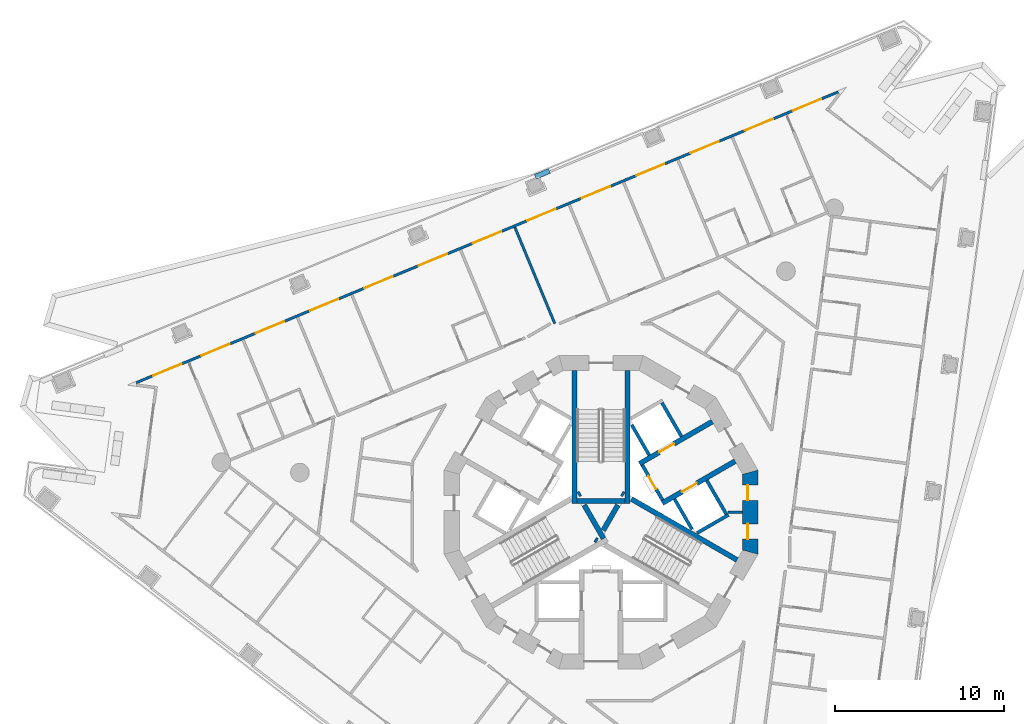
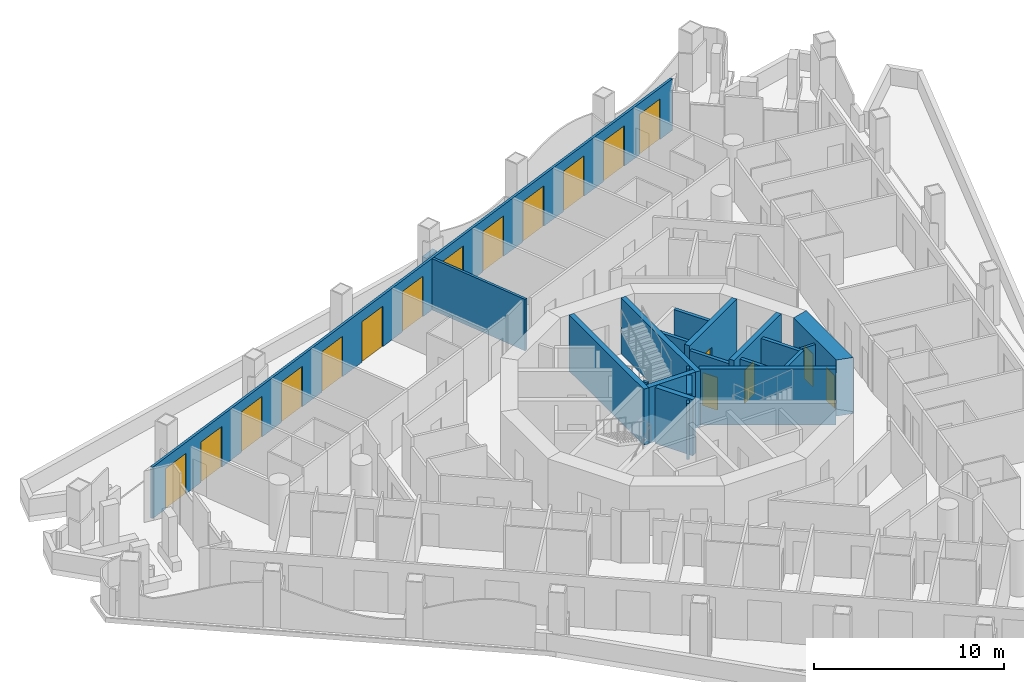
# One storey, part 8 of 19: 22 walls, 18 doors, 18 openings.
"""IFC4 building model written with IfcOpenShell, lengths in metres."""

from ifc_helpers import new_model, si_unit, direction, frame, frame_2d, origin, place, context, subcontext, project, spatial, polyline, rectangle, outline, extrude, material, layer, layer_set, type_object, element, fill, save


model = new_model("IFC4")

# Units and contexts
model_context = context("Model", 3, precision=1e-05, world=origin(), true_north=direction((0.0, 1.0)))
body_context = subcontext(model_context, "Body", "Model", "MODEL_VIEW")
ifc_project = project(units=[si_unit("LENGTHUNIT", "METRE"), si_unit("AREAUNIT", "SQUARE_METRE"), si_unit("VOLUMEUNIT", "CUBIC_METRE"), si_unit("PLANEANGLEUNIT", "RADIAN"), si_unit("MASSUNIT", "GRAM", prefix="KILO")], contexts=[model_context])

# Site, building, storey
site_placement = place(None, origin())
site = spatial("IfcSite", under=ifc_project, at=site_placement, CompositionType="ELEMENT")
building_placement = place(site_placement, origin())
building = spatial("IfcBuilding", under=site, at=building_placement, Name="Trine Commons Tower", CompositionType="ELEMENT")
storey_placement = place(building_placement, frame((0.0, 0.0, 124.199951171875)))
storey = spatial("IfcBuildingStorey", under=building, at=storey_placement, Name="L31", CompositionType="ELEMENT", Elevation=124.199951171875)

# Wall
ifc_material_1 = material(Name="Plasterboard partition on steel studs", Category="steel")
ifc_layer_1 = layer(ifc_material_1, 0.14990234375)
ifc_layer_set_1 = layer_set([ifc_layer_1], Name="Plasterboard partition on steel studs")
wall_type_1 = type_object("IfcWallType", Name="Core room partition 150 mm, EI 60", PredefinedType="PARTITIONING", material=ifc_layer_set_1)
wall_1_placement = place(storey_placement, frame((88.373046875, 62.5, 0.0), z_axis=(0.0, 0.0, 1.0), x_axis=(-1.0, 0.0, 0.0)))
element("IfcWall", 1, at=wall_1_placement, inside=storey, type_object=wall_type_1, Name="Core room partition L31", PredefinedType="PARTITIONING", context=body_context, shape_type="SweptSolid", body=[
    extrude(rectangle(XDim=0.882080078125, YDim=0.14990234375, at=frame_2d((0.44091796875, 0.0))), origin(), (0.0, 0.0, 1.0), 3.300048828125),
])

# Wall, openings, doors
ifc_material_2 = material(Name="Aluminium-framed insulated wall panel", Category="aluminium")
ifc_layer_2 = layer(ifc_material_2, 0.14990234375)
ifc_layer_set_2 = layer_set([ifc_layer_2], Name="Aluminium-framed insulated wall panel")
wall_type_2 = type_object("IfcWallType", Name="Glazed frame wall 150, EI 60", PredefinedType="SOLIDWALL", material=ifc_layer_set_2)
wall_2_placement = place(storey_placement, frame((52.38671875, 70.099609375, 0.0), z_axis=(0.0, 0.0, 1.0), x_axis=(0.92388051416, 0.382681062447, 0.0)))
wall_2 = element("IfcWall", 2, at=wall_2_placement, inside=storey, type_object=wall_type_2, Name="Glazed frame wall F1", PredefinedType="SOLIDWALL", context=body_context, shape_type="SweptSolid", body=[
    extrude(outline(polyline([(0.1494140625, 0.074951171875), (0.1494140625, -0.074951171875), (45.056884765625, -0.074951171875), (45.056884765625, 0.074951171875), (0.1494140625, 0.074951171875)])), origin(), (0.0, 0.0, 1.0), 3.300048828125),
])
opening_1_placement = place(wall_2_placement, frame((1.23876953125, 0.0, 0.0)))
opening_1 = element("IfcOpeningElement", 3, at=opening_1_placement, cuts=wall_2, Name="Opening BD-4F1-01", PredefinedType="OPENING", context=body_context, shape_type="SweptSolid", body=[
    extrude(rectangle(XDim=1.800048828125, YDim=2.60009765625, at=frame_2d((0.89990234375, 1.300048828125))), frame((0.0, 0.0849609375, 0.0), z_axis=(0.0, -1.0, 0.0), x_axis=(1.0, 0.0, 0.0)), (0.0, 0.0, 1.0), 0.169921875),
])
opening_2_placement = place(wall_2_placement, frame((4.316162109375, 0.0, 0.0)))
opening_2 = element("IfcOpeningElement", 4, at=opening_2_placement, cuts=wall_2, Name="Opening BD-4F1-02", PredefinedType="OPENING", context=body_context, shape_type="SweptSolid", body=[
    extrude(rectangle(XDim=1.800048828125, YDim=2.60009765625, at=frame_2d((0.89990234375, 1.300048828125))), frame((0.0, 0.0849609375, 0.0), z_axis=(0.0, -1.0, 0.0), x_axis=(1.0, 0.0, 0.0)), (0.0, 0.0, 1.0), 0.169921875),
])
opening_3_placement = place(wall_2_placement, frame((7.79345703125, 0.0, 0.0)))
opening_3 = element("IfcOpeningElement", 5, at=opening_3_placement, cuts=wall_2, Name="Opening BD-4F1-03", PredefinedType="OPENING", context=body_context, shape_type="SweptSolid", body=[
    extrude(rectangle(XDim=1.800048828125, YDim=2.60009765625, at=frame_2d((0.89990234375, 1.300048828125))), frame((0.0, 0.0849609375, 0.0), z_axis=(0.0, -1.0, 0.0), x_axis=(1.0, 0.0, 0.0)), (0.0, 0.0, 1.0), 0.169921875),
])
opening_4_placement = place(wall_2_placement, frame((11.27099609375, 0.0, 0.0)))
opening_4 = element("IfcOpeningElement", 6, at=opening_4_placement, cuts=wall_2, Name="Opening BD-4F1-04", PredefinedType="OPENING", context=body_context, shape_type="SweptSolid", body=[
    extrude(rectangle(XDim=1.800048828125, YDim=2.60009765625, at=frame_2d((0.89990234375, 1.300048828125))), frame((0.0, 0.0849609375, 0.0), z_axis=(0.0, -1.0, 0.0), x_axis=(1.0, 0.0, 0.0)), (0.0, 0.0, 1.0), 0.169921875),
])
opening_5_placement = place(wall_2_placement, frame((14.748291015625, 0.0, 0.0)))
opening_5 = element("IfcOpeningElement", 7, at=opening_5_placement, cuts=wall_2, Name="Opening BD-4F1-05", PredefinedType="OPENING", context=body_context, shape_type="SweptSolid", body=[
    extrude(rectangle(XDim=1.800048828125, YDim=2.60009765625, at=frame_2d((0.89990234375, 1.300048828125))), frame((0.0, 0.0849609375, 0.0), z_axis=(0.0, -1.0, 0.0), x_axis=(1.0, 0.0, 0.0)), (0.0, 0.0, 1.0), 0.169921875),
])
opening_6_placement = place(wall_2_placement, frame((18.2255859375, 0.0, 0.0)))
opening_6 = element("IfcOpeningElement", 8, at=opening_6_placement, cuts=wall_2, Name="Opening BD-4F1-06", PredefinedType="OPENING", context=body_context, shape_type="SweptSolid", body=[
    extrude(rectangle(XDim=1.800048828125, YDim=2.60009765625, at=frame_2d((0.89990234375, 1.300048828125))), frame((0.0, 0.0849609375, 0.0), z_axis=(0.0, -1.0, 0.0), x_axis=(1.0, 0.0, 0.0)), (0.0, 0.0, 1.0), 0.169921875),
])
opening_7_placement = place(wall_2_placement, frame((21.703125, 0.0, 0.0)))
opening_7 = element("IfcOpeningElement", 9, at=opening_7_placement, cuts=wall_2, Name="Opening BD-4F1-07", PredefinedType="OPENING", context=body_context, shape_type="SweptSolid", body=[
    extrude(rectangle(XDim=1.800048828125, YDim=2.60009765625, at=frame_2d((0.89990234375, 1.300048828125))), frame((0.0, 0.0849609375, 0.0), z_axis=(0.0, -1.0, 0.0), x_axis=(1.0, 0.0, 0.0)), (0.0, 0.0, 1.0), 0.169921875),
])
opening_8_placement = place(wall_2_placement, frame((25.180419921875, 0.0, 0.0)))
opening_8 = element("IfcOpeningElement", 10, at=opening_8_placement, cuts=wall_2, Name="Opening BD-4F1-08", PredefinedType="OPENING", context=body_context, shape_type="SweptSolid", body=[
    extrude(rectangle(XDim=1.800048828125, YDim=2.60009765625, at=frame_2d((0.89990234375, 1.300048828125))), frame((0.0, 0.0849609375, 0.0), z_axis=(0.0, -1.0, 0.0), x_axis=(1.0, 0.0, 0.0)), (0.0, 0.0, 1.0), 0.169921875),
])
opening_9_placement = place(wall_2_placement, frame((28.657958984375, 0.0, 0.0)))
opening_9 = element("IfcOpeningElement", 11, at=opening_9_placement, cuts=wall_2, Name="Opening BD-4F1-09", PredefinedType="OPENING", context=body_context, shape_type="SweptSolid", body=[
    extrude(rectangle(XDim=1.800048828125, YDim=2.60009765625, at=frame_2d((0.89990234375, 1.300048828125))), frame((0.0, 0.0849609375, 0.0), z_axis=(0.0, -1.0, 0.0), x_axis=(1.0, 0.0, 0.0)), (0.0, 0.0, 1.0), 0.169921875),
])
opening_10_placement = place(wall_2_placement, frame((32.13525390625, 0.0, 0.0)))
opening_10 = element("IfcOpeningElement", 12, at=opening_10_placement, cuts=wall_2, Name="Opening BD-4F1-10", PredefinedType="OPENING", context=body_context, shape_type="SweptSolid", body=[
    extrude(rectangle(XDim=1.800048828125, YDim=2.60009765625, at=frame_2d((0.89990234375, 1.300048828125))), frame((0.0, 0.0849609375, 0.0), z_axis=(0.0, -1.0, 0.0), x_axis=(1.0, 0.0, 0.0)), (0.0, 0.0, 1.0), 0.169921875),
])
opening_11_placement = place(wall_2_placement, frame((35.61279296875, 0.0, 0.0)))
opening_11 = element("IfcOpeningElement", 13, at=opening_11_placement, cuts=wall_2, Name="Opening BD-4F1-11", PredefinedType="OPENING", context=body_context, shape_type="SweptSolid", body=[
    extrude(rectangle(XDim=1.800048828125, YDim=2.60009765625, at=frame_2d((0.89990234375, 1.300048828125))), frame((0.0, 0.0849609375, 0.0), z_axis=(0.0, -1.0, 0.0), x_axis=(1.0, 0.0, 0.0)), (0.0, 0.0, 1.0), 0.169921875),
])
opening_12_placement = place(wall_2_placement, frame((39.090087890625, 0.0, 0.0)))
opening_12 = element("IfcOpeningElement", 14, at=opening_12_placement, cuts=wall_2, Name="Opening BD-4F1-12", PredefinedType="OPENING", context=body_context, shape_type="SweptSolid", body=[
    extrude(rectangle(XDim=1.800048828125, YDim=2.60009765625, at=frame_2d((0.89990234375, 1.300048828125))), frame((0.0, 0.0849609375, 0.0), z_axis=(0.0, -1.0, 0.0), x_axis=(1.0, 0.0, 0.0)), (0.0, 0.0, 1.0), 0.169921875),
])
opening_13_placement = place(wall_2_placement, frame((42.16748046875, 0.0, 0.0)))
opening_13 = element("IfcOpeningElement", 15, at=opening_13_placement, cuts=wall_2, Name="Opening BD-4F1-13", PredefinedType="OPENING", context=body_context, shape_type="SweptSolid", body=[
    extrude(rectangle(XDim=1.800048828125, YDim=2.60009765625, at=frame_2d((0.89990234375, 1.300048828125))), frame((0.0, 0.0849609375, 0.0), z_axis=(0.0, -1.0, 0.0), x_axis=(1.0, 0.0, 0.0)), (0.0, 0.0, 1.0), 0.169921875),
])
ifc_material_3 = material(Name="Anodised aluminium frame with double glazing", Category="aluminium")
door_type_1 = type_object("IfcDoorType", Name="Sliding loggia door 1800x2600", OperationType="SLIDING_TO_LEFT", PredefinedType="DOOR", material=ifc_material_3)
door_1_placement = place(opening_1_placement, origin())
door_1 = element("IfcDoor", 16, at=door_1_placement, inside=storey, type_object=door_type_1, Name="Loggia door F1 1", OperationType="SLIDING_TO_LEFT", OverallHeight=2.60009765625, OverallWidth=1.800048828125, PredefinedType="DOOR", context=body_context, shape_type="SweptSolid", body=[
    extrude(rectangle(XDim=1.800048828125, YDim=2.60009765625, at=frame_2d((0.89990234375, 1.300048828125))), frame((0.0, 0.02490234375, 0.0), z_axis=(0.0, -1.0, 0.0), x_axis=(1.0, 0.0, 0.0)), (0.0, 0.0, 1.0), 0.050048828125),
])
fill(opening_1, door_1)
door_2_placement = place(opening_2_placement, origin())
door_2 = element("IfcDoor", 17, at=door_2_placement, inside=storey, type_object=door_type_1, Name="Loggia door F1 2", OperationType="SLIDING_TO_LEFT", OverallHeight=2.60009765625, OverallWidth=1.800048828125, PredefinedType="DOOR", context=body_context, shape_type="SweptSolid", body=[
    extrude(rectangle(XDim=1.800048828125, YDim=2.60009765625, at=frame_2d((0.89990234375, 1.300048828125))), frame((0.0, 0.02490234375, 0.0), z_axis=(0.0, -1.0, 0.0), x_axis=(1.0, 0.0, 0.0)), (0.0, 0.0, 1.0), 0.050048828125),
])
fill(opening_2, door_2)
door_3_placement = place(opening_3_placement, origin())
door_3 = element("IfcDoor", 18, at=door_3_placement, inside=storey, type_object=door_type_1, Name="Loggia door F1 3", OperationType="SLIDING_TO_LEFT", OverallHeight=2.60009765625, OverallWidth=1.800048828125, PredefinedType="DOOR", context=body_context, shape_type="SweptSolid", body=[
    extrude(rectangle(XDim=1.800048828125, YDim=2.60009765625, at=frame_2d((0.89990234375, 1.300048828125))), frame((0.0, 0.02490234375, 0.0), z_axis=(0.0, -1.0, 0.0), x_axis=(1.0, 0.0, 0.0)), (0.0, 0.0, 1.0), 0.050048828125),
])
fill(opening_3, door_3)
door_4_placement = place(opening_4_placement, origin())
door_4 = element("IfcDoor", 19, at=door_4_placement, inside=storey, type_object=door_type_1, Name="Loggia door F1 4", OperationType="SLIDING_TO_LEFT", OverallHeight=2.60009765625, OverallWidth=1.800048828125, PredefinedType="DOOR", context=body_context, shape_type="SweptSolid", body=[
    extrude(rectangle(XDim=1.800048828125, YDim=2.60009765625, at=frame_2d((0.89990234375, 1.300048828125))), frame((0.0, 0.02490234375, 0.0), z_axis=(0.0, -1.0, 0.0), x_axis=(1.0, 0.0, 0.0)), (0.0, 0.0, 1.0), 0.050048828125),
])
fill(opening_4, door_4)
door_5_placement = place(opening_5_placement, origin())
door_5 = element("IfcDoor", 20, at=door_5_placement, inside=storey, type_object=door_type_1, Name="Loggia door F1 5", OperationType="SLIDING_TO_LEFT", OverallHeight=2.60009765625, OverallWidth=1.800048828125, PredefinedType="DOOR", context=body_context, shape_type="SweptSolid", body=[
    extrude(rectangle(XDim=1.800048828125, YDim=2.60009765625, at=frame_2d((0.89990234375, 1.300048828125))), frame((0.0, 0.02490234375, 0.0), z_axis=(0.0, -1.0, 0.0), x_axis=(1.0, 0.0, 0.0)), (0.0, 0.0, 1.0), 0.050048828125),
])
fill(opening_5, door_5)
door_6_placement = place(opening_6_placement, origin())
door_6 = element("IfcDoor", 21, at=door_6_placement, inside=storey, type_object=door_type_1, Name="Loggia door F1 6", OperationType="SLIDING_TO_LEFT", OverallHeight=2.60009765625, OverallWidth=1.800048828125, PredefinedType="DOOR", context=body_context, shape_type="SweptSolid", body=[
    extrude(rectangle(XDim=1.800048828125, YDim=2.60009765625, at=frame_2d((0.89990234375, 1.300048828125))), frame((0.0, 0.02490234375, 0.0), z_axis=(0.0, -1.0, 0.0), x_axis=(1.0, 0.0, 0.0)), (0.0, 0.0, 1.0), 0.050048828125),
])
fill(opening_6, door_6)
door_7_placement = place(opening_7_placement, origin())
door_7 = element("IfcDoor", 22, at=door_7_placement, inside=storey, type_object=door_type_1, Name="Loggia door F1 7", OperationType="SLIDING_TO_LEFT", OverallHeight=2.60009765625, OverallWidth=1.800048828125, PredefinedType="DOOR", context=body_context, shape_type="SweptSolid", body=[
    extrude(rectangle(XDim=1.800048828125, YDim=2.60009765625, at=frame_2d((0.89990234375, 1.300048828125))), frame((0.0, 0.02490234375, 0.0), z_axis=(0.0, -1.0, 0.0), x_axis=(1.0, 0.0, 0.0)), (0.0, 0.0, 1.0), 0.050048828125),
])
fill(opening_7, door_7)
door_8_placement = place(opening_8_placement, origin())
door_8 = element("IfcDoor", 23, at=door_8_placement, inside=storey, type_object=door_type_1, Name="Loggia door F1 8", OperationType="SLIDING_TO_LEFT", OverallHeight=2.60009765625, OverallWidth=1.800048828125, PredefinedType="DOOR", context=body_context, shape_type="SweptSolid", body=[
    extrude(rectangle(XDim=1.800048828125, YDim=2.60009765625, at=frame_2d((0.89990234375, 1.300048828125))), frame((0.0, 0.02490234375, 0.0), z_axis=(0.0, -1.0, 0.0), x_axis=(1.0, 0.0, 0.0)), (0.0, 0.0, 1.0), 0.050048828125),
])
fill(opening_8, door_8)
door_9_placement = place(opening_9_placement, origin())
door_9 = element("IfcDoor", 24, at=door_9_placement, inside=storey, type_object=door_type_1, Name="Loggia door F1 9", OperationType="SLIDING_TO_LEFT", OverallHeight=2.60009765625, OverallWidth=1.800048828125, PredefinedType="DOOR", context=body_context, shape_type="SweptSolid", body=[
    extrude(rectangle(XDim=1.800048828125, YDim=2.60009765625, at=frame_2d((0.89990234375, 1.300048828125))), frame((0.0, 0.02490234375, 0.0), z_axis=(0.0, -1.0, 0.0), x_axis=(1.0, 0.0, 0.0)), (0.0, 0.0, 1.0), 0.050048828125),
])
fill(opening_9, door_9)
door_10_placement = place(opening_10_placement, origin())
door_10 = element("IfcDoor", 25, at=door_10_placement, inside=storey, type_object=door_type_1, Name="Loggia door F1 10", OperationType="SLIDING_TO_LEFT", OverallHeight=2.60009765625, OverallWidth=1.800048828125, PredefinedType="DOOR", context=body_context, shape_type="SweptSolid", body=[
    extrude(rectangle(XDim=1.800048828125, YDim=2.60009765625, at=frame_2d((0.89990234375, 1.300048828125))), frame((0.0, 0.02490234375, 0.0), z_axis=(0.0, -1.0, 0.0), x_axis=(1.0, 0.0, 0.0)), (0.0, 0.0, 1.0), 0.050048828125),
])
fill(opening_10, door_10)
door_11_placement = place(opening_11_placement, origin())
door_11 = element("IfcDoor", 26, at=door_11_placement, inside=storey, type_object=door_type_1, Name="Loggia door F1 11", OperationType="SLIDING_TO_LEFT", OverallHeight=2.60009765625, OverallWidth=1.800048828125, PredefinedType="DOOR", context=body_context, shape_type="SweptSolid", body=[
    extrude(rectangle(XDim=1.800048828125, YDim=2.60009765625, at=frame_2d((0.89990234375, 1.300048828125))), frame((0.0, 0.02490234375, 0.0), z_axis=(0.0, -1.0, 0.0), x_axis=(1.0, 0.0, 0.0)), (0.0, 0.0, 1.0), 0.050048828125),
])
fill(opening_11, door_11)
door_12_placement = place(opening_12_placement, origin())
door_12 = element("IfcDoor", 27, at=door_12_placement, inside=storey, type_object=door_type_1, Name="Loggia door F1 12", OperationType="SLIDING_TO_LEFT", OverallHeight=2.60009765625, OverallWidth=1.800048828125, PredefinedType="DOOR", context=body_context, shape_type="SweptSolid", body=[
    extrude(rectangle(XDim=1.800048828125, YDim=2.60009765625, at=frame_2d((0.89990234375, 1.300048828125))), frame((0.0, 0.02490234375, 0.0), z_axis=(0.0, -1.0, 0.0), x_axis=(1.0, 0.0, 0.0)), (0.0, 0.0, 1.0), 0.050048828125),
])
fill(opening_12, door_12)
door_13_placement = place(opening_13_placement, origin())
door_13 = element("IfcDoor", 28, at=door_13_placement, inside=storey, type_object=door_type_1, Name="Loggia door F1 13", OperationType="SLIDING_TO_LEFT", OverallHeight=2.60009765625, OverallWidth=1.800048828125, PredefinedType="DOOR", context=body_context, shape_type="SweptSolid", body=[
    extrude(rectangle(XDim=1.800048828125, YDim=2.60009765625, at=frame_2d((0.89990234375, 1.300048828125))), frame((0.0, 0.02490234375, 0.0), z_axis=(0.0, -1.0, 0.0), x_axis=(1.0, 0.0, 0.0)), (0.0, 0.0, 1.0), 0.050048828125),
])
fill(opening_13, door_13)

# Wall, opening, door
ifc_material_4 = material(Name="Fire-rated gypsum shaft wall system")
ifc_layer_3 = layer(ifc_material_4, 0.199951171875)
ifc_layer_set_3 = layer_set([ifc_layer_3], Name="Fire-rated gypsum shaft wall system")
wall_type_3 = type_object("IfcWallType", Name="Lobby end wall 200 mm, EI 120", PredefinedType="PARTITIONING", material=ifc_layer_set_3)
wall_3_placement = place(storey_placement, frame((83.631103515625, 63.2109375, 0.0), z_axis=(0.0, 0.0, 1.0), x_axis=(-0.50012165622, 0.865955154139, 0.0)))
wall_3 = element("IfcWall", 29, at=wall_3_placement, inside=storey, type_object=wall_type_3, Name="Lobby end wall L31", PredefinedType="PARTITIONING", context=body_context, shape_type="SweptSolid", body=[
    extrude(rectangle(XDim=2.39990234375, YDim=0.199951171875, at=frame_2d((1.199951171875, 0.0))), origin(), (0.0, 0.0, 1.0), 3.300048828125),
])
opening_14_placement = place(wall_3_placement, frame((0.749755859375, 0.0, 0.0)))
opening_14 = element("IfcOpeningElement", 30, at=opening_14_placement, cuts=wall_3, Name="Opening K10.05", PredefinedType="OPENING", context=body_context, shape_type="SweptSolid", body=[
    extrude(rectangle(XDim=0.89990234375, YDim=2.10009765625, at=frame_2d((0.449951171875, 1.050048828125))), frame((0.0, 0.10986328125, 0.0), z_axis=(0.0, -1.0, 0.0), x_axis=(1.0, 0.0, 0.0)), (0.0, 0.0, 1.0), 0.219970703125),
])
ifc_material_5 = material(Name="Steel door leaf, fire-rated", Category="steel")
door_type_2 = type_object("IfcDoorType", Name="Riser access door, single leaf 900 x 2100, FD60", OperationType="SINGLE_SWING_LEFT", PredefinedType="DOOR", material=ifc_material_5)
door_14_placement = place(opening_14_placement, frame((0.89990234375, 0.0, 0.0), z_axis=(0.0, 0.0, 1.0), x_axis=(-1.0, 0.0, 0.0)))
door_14 = element("IfcDoor", 31, at=door_14_placement, inside=storey, type_object=door_type_2, Name="Riser door, Electrical riser L31", OperationType="SINGLE_SWING_LEFT", OverallHeight=2.10009765625, OverallWidth=0.89990234375, PredefinedType="DOOR", context=body_context, shape_type="SweptSolid", body=[
    extrude(rectangle(XDim=0.89990234375, YDim=2.10009765625, at=frame_2d((0.449951171875, 1.050048828125))), frame((0.0, 0.02490234375, 0.0), z_axis=(0.0, -1.0, 0.0), x_axis=(1.0, 0.0, 0.0)), (0.0, 0.0, 1.0), 0.050048828125),
])
fill(opening_14, door_14)

ifc_material_6 = material(Name="Concrete C70/85", Category="concrete")
ifc_layer_4 = layer(ifc_material_6, 0.300048828125)
ifc_layer_set_4 = layer_set([ifc_layer_4], Name="Concrete C70/85")
wall_type_4 = type_object("IfcWallType", Name="RC shear wall 300 mm, C70/85", PredefinedType="SHEAR", material=ifc_layer_set_4)
wall_4_placement = place(storey_placement, frame((82.26904296875, 65.368896484375, 0.0), z_axis=(0.0, 0.0, 1.0), x_axis=(0.865983655544, 0.500072303102, 0.0)))
wall_4 = element("IfcWall", 32, at=wall_4_placement, inside=storey, type_object=wall_type_4, Name="Core cross wall SWB-05 L31", PredefinedType="SHEAR", context=body_context, shape_type="SweptSolid", body=[
    extrude(rectangle(XDim=4.973388671875, YDim=0.300048828125, at=frame_2d((2.48681640625, 0.0))), origin(), (0.0, 0.0, 1.0), 3.60009765625),
])
opening_15_placement = place(wall_4_placement, frame((1.3505859375, 0.0, 0.0)))
opening_15 = element("IfcOpeningElement", 33, at=opening_15_placement, cuts=wall_4, Name="Opening LD5", PredefinedType="OPENING", context=body_context, shape_type="SweptSolid", body=[
    extrude(rectangle(XDim=1.0, YDim=2.10009765625, at=frame_2d((0.5, 1.050048828125))), frame((0.0, 0.159912109375, 0.0), z_axis=(0.0, -1.0, 0.0), x_axis=(1.0, 0.0, 0.0)), (0.0, 0.0, 1.0), 0.320068359375),
])
ifc_material_7 = material(Name="Stainless steel sliding door leaves", Category="steel")
door_type_3 = type_object("IfcDoorType", Name="Lift landing door, centre-opening sliding 1000 x 2100, FD90", OperationType="DOUBLE_DOOR_SLIDING", PredefinedType="DOOR", material=ifc_material_7)
door_15_placement = place(opening_15_placement, origin())
door_15 = element("IfcDoor", 34, at=door_15_placement, inside=storey, type_object=door_type_3, Name="Lift landing door HR1 L31", OperationType="DOUBLE_DOOR_SLIDING", OverallHeight=2.10009765625, OverallWidth=1.0, PredefinedType="DOOR", context=body_context, shape_type="SweptSolid", body=[
    extrude(rectangle(XDim=1.0, YDim=2.10009765625, at=frame_2d((0.5, 1.050048828125))), frame((0.0, 0.02490234375, 0.0), z_axis=(0.0, -1.0, 0.0), x_axis=(1.0, 0.0, 0.0)), (0.0, 0.0, 1.0), 0.050048828125),
])
fill(opening_15, door_15)

wall_5_placement = place(storey_placement, frame((83.618896484375, 63.031005859375, 0.0), z_axis=(0.0, 0.0, 1.0), x_axis=(0.866080953719, 0.499903772346, 0.0)))
wall_5 = element("IfcWall", 35, at=wall_5_placement, inside=storey, type_object=wall_type_4, Name="Core cross wall SWB-06 L31", PredefinedType="SHEAR", context=body_context, shape_type="SweptSolid", body=[
    extrude(rectangle(XDim=4.97314453125, YDim=0.300048828125, at=frame_2d((2.486572265625, 0.0))), origin(), (0.0, 0.0, 1.0), 3.60009765625),
])
opening_16_placement = place(wall_5_placement, frame((1.350341796875, 0.0, 0.0)))
opening_16 = element("IfcOpeningElement", 36, at=opening_16_placement, cuts=wall_5, Name="Opening LD6", PredefinedType="OPENING", context=body_context, shape_type="SweptSolid", body=[
    extrude(rectangle(XDim=1.0, YDim=2.10009765625, at=frame_2d((0.5, 1.050048828125))), frame((0.0, 0.159912109375, 0.0), z_axis=(0.0, -1.0, 0.0), x_axis=(1.0, 0.0, 0.0)), (0.0, 0.0, 1.0), 0.320068359375),
])
door_16_placement = place(opening_16_placement, origin())
door_16 = element("IfcDoor", 37, at=door_16_placement, inside=storey, type_object=door_type_3, Name="Lift landing door HR2 L31", OperationType="DOUBLE_DOOR_SLIDING", OverallHeight=2.10009765625, OverallWidth=1.0, PredefinedType="DOOR", context=body_context, shape_type="SweptSolid", body=[
    extrude(rectangle(XDim=1.0, YDim=2.10009765625, at=frame_2d((0.5, 1.050048828125))), frame((0.0, 0.02490234375, 0.0), z_axis=(0.0, -1.0, 0.0), x_axis=(1.0, 0.0, 0.0)), (0.0, 0.0, 1.0), 0.050048828125),
])
fill(opening_16, door_16)

# Walls
wall_6_placement = place(storey_placement, frame((78.425048828125, 63.0009765625, 0.0), z_axis=(0.0, 0.0, 1.0), x_axis=(0.0, 1.0, 0.0)))
element("IfcWall", 38, at=wall_6_placement, inside=storey, type_object=wall_type_4, Name="Core cross wall SWB-08 L31", PredefinedType="SHEAR", context=body_context, shape_type="SweptSolid", body=[
    extrude(rectangle(XDim=7.8720703125, YDim=0.300048828125, at=frame_2d((3.93603515625, 0.0))), origin(), (0.0, 0.0, 1.0), 3.60009765625),
])
wall_7_placement = place(storey_placement, frame((78.779052734375, 63.614013671875, 0.0), z_axis=(0.0, 0.0, 1.0), x_axis=(-0.867737973955, -0.497021939713, 0.0)))
element("IfcWall", 39, at=wall_7_placement, inside=storey, type_object=wall_type_4, Name="Core cross wall SWB-09 L31", PredefinedType="SHEAR", context=body_context, shape_type="SweptSolid", body=[
    extrude(rectangle(XDim=0.14892578125, YDim=0.300048828125, at=frame_2d((0.074462890625, 0.0))), origin(), (0.0, 0.0, 1.0), 3.60009765625),
])
wall_8_placement = place(storey_placement, frame((79.0029296875, 62.926025390625, 0.0), z_axis=(0.0, 0.0, 1.0), x_axis=(0.499965247104, -0.866045467449, 0.0)))
element("IfcWall", 40, at=wall_8_placement, inside=storey, type_object=wall_type_4, Name="Core cross wall SWB-10 L31", PredefinedType="SHEAR", context=body_context, shape_type="SweptSolid", body=[
    extrude(rectangle(XDim=2.292236328125, YDim=0.300048828125, at=frame_2d((1.14599609375, 0.0))), origin(), (0.0, 0.0, 1.0), 3.60009765625),
])
wall_9_placement = place(storey_placement, frame((79.64599609375, 60.885986328125, 0.0), z_axis=(0.0, 0.0, 1.0), x_axis=(0.867331893649, -0.497730234424, 0.0)))
element("IfcWall", 41, at=wall_9_placement, inside=storey, type_object=wall_type_4, Name="Core cross wall SWB-11 L31", PredefinedType="SHEAR", context=body_context, shape_type="SweptSolid", body=[
    extrude(rectangle(XDim=0.148681640625, YDim=0.300048828125, at=frame_2d((0.07421875, 0.0))), origin(), (0.0, 0.0, 1.0), 3.60009765625),
])
wall_10_placement = place(storey_placement, frame((80.1298828125, 61.424072265625, 0.0), z_axis=(0.0, 0.0, 1.0), x_axis=(0.500014901547, 0.866016800201, 0.0)))
element("IfcWall", 42, at=wall_10_placement, inside=storey, type_object=wall_type_4, Name="Core cross wall SWB-12 L31", PredefinedType="SHEAR", context=body_context, shape_type="SweptSolid", body=[
    extrude(rectangle(XDim=1.734375, YDim=0.300048828125, at=frame_2d((0.8671875, 0.0))), origin(), (0.0, 0.0, 1.0), 3.60009765625),
])
wall_11_placement = place(storey_placement, frame((81.220947265625, 63.614013671875, 0.0), z_axis=(0.0, 0.0, 1.0), x_axis=(0.867737973955, -0.497021939713, 0.0)))
element("IfcWall", 43, at=wall_11_placement, inside=storey, type_object=wall_type_4, Name="Core cross wall SWB-15 L31", PredefinedType="SHEAR", context=body_context, shape_type="SweptSolid", body=[
    extrude(rectangle(XDim=0.14892578125, YDim=0.300048828125, at=frame_2d((0.074462890625, 0.0))), origin(), (0.0, 0.0, 1.0), 3.60009765625),
])
wall_12_placement = place(storey_placement, frame((81.425048828125, 63.15087890625, 0.0), z_axis=(0.0, 0.0, 1.0), x_axis=(-1.0, 0.0, 0.0)))
element("IfcWall", 44, at=wall_12_placement, inside=storey, type_object=wall_type_4, Name="Core cross wall SWB-16 L31", PredefinedType="SHEAR", context=body_context, shape_type="SweptSolid", body=[
    extrude(rectangle(XDim=2.85009765625, YDim=0.300048828125, at=frame_2d((1.425048828125, 0.0))), origin(), (0.0, 0.0, 1.0), 3.60009765625),
])
wall_13_placement = place(storey_placement, frame((81.574951171875, 63.0009765625, 0.0), z_axis=(0.0, 0.0, 1.0), x_axis=(0.0, 1.0, 0.0)))
element("IfcWall", 45, at=wall_13_placement, inside=storey, type_object=wall_type_4, Name="Core cross wall SWB-17 L31", PredefinedType="SHEAR", context=body_context, shape_type="SweptSolid", body=[
    extrude(rectangle(XDim=7.8720703125, YDim=0.300048828125, at=frame_2d((3.93603515625, 0.0))), origin(), (0.0, 0.0, 1.0), 3.60009765625),
])
wall_14_placement = place(storey_placement, frame((81.800048828125, 63.280029296875, 0.0), z_axis=(0.0, 0.0, 1.0), x_axis=(0.866028135082, -0.499995269223, 0.0)))
element("IfcWall", 46, at=wall_14_placement, inside=storey, type_object=wall_type_4, Name="Core cross wall SWB-18 L31", PredefinedType="SHEAR", context=body_context, shape_type="SweptSolid", body=[
    extrude(rectangle(XDim=7.2041015625, YDim=0.300048828125, at=frame_2d((3.60205078125, 0.0))), origin(), (0.0, 0.0, 1.0), 3.60009765625),
])

# Wall, openings, doors
ifc_layer_5 = layer(ifc_material_6, 0.89990234375)
ifc_layer_set_5 = layer_set([ifc_layer_5], Name="Concrete C70/85")
wall_type_5 = type_object("IfcWallType", Name="RC shear wall 900 mm, C70/85", PredefinedType="SHEAR", material=ifc_layer_set_5)
wall_15_placement = place(storey_placement, frame((88.822998046875, 60.015380859375, 0.0), z_axis=(0.0, 0.0, 1.0), x_axis=(0.0, 1.0, 0.0)))
wall_15 = element("IfcWall", 47, at=wall_15_placement, inside=storey, type_object=wall_type_5, Name="Core wall CWD-01 L31", PredefinedType="SHEAR", context=body_context, shape_type="SweptSolid", body=[
    extrude(outline(polyline([(0.0, -0.449951171875), (4.969482421875, -0.449951171875), (4.728271484375, 0.449951171875), (0.2412109375, 0.449951171875), (0.0, -0.449951171875)])), origin(), (0.0, 0.0, 1.0), 3.60009765625),
])
opening_17_placement = place(wall_15_placement, frame((0.893798828125, 0.0, 0.0)))
opening_17 = element("IfcOpeningElement", 48, at=opening_17_placement, cuts=wall_15, Name="Opening K10.10", PredefinedType="OPENING", context=body_context, shape_type="SweptSolid", body=[
    extrude(rectangle(XDim=0.89990234375, YDim=2.10009765625, at=frame_2d((0.449951171875, 1.050048828125))), frame((0.0, 0.4599609375, 0.0), z_axis=(0.0, -1.0, 0.0), x_axis=(1.0, 0.0, 0.0)), (0.0, 0.0, 1.0), 0.919921875),
])
opening_18_placement = place(wall_15_placement, frame((3.184814453125, 0.0, 0.0)))
opening_18 = element("IfcOpeningElement", 49, at=opening_18_placement, cuts=wall_15, Name="Opening K10.11", PredefinedType="OPENING", context=body_context, shape_type="SweptSolid", body=[
    extrude(rectangle(XDim=0.89990234375, YDim=2.10009765625, at=frame_2d((0.449951171875, 1.050048828125))), frame((0.0, 0.4599609375, 0.0), z_axis=(0.0, -1.0, 0.0), x_axis=(1.0, 0.0, 0.0)), (0.0, 0.0, 1.0), 0.919921875),
])
door_type_4 = type_object("IfcDoorType", Name="Core room door, single leaf 900 x 2100, FD30S", OperationType="SINGLE_SWING_LEFT", PredefinedType="DOOR", material=ifc_material_5)
door_17_placement = place(opening_17_placement, origin())
door_17 = element("IfcDoor", 50, at=door_17_placement, inside=storey, type_object=door_type_4, Name="Door to Cleaner's store L31", OperationType="SINGLE_SWING_LEFT", OverallHeight=2.10009765625, OverallWidth=0.89990234375, PredefinedType="DOOR", context=body_context, shape_type="SweptSolid", body=[
    extrude(rectangle(XDim=0.89990234375, YDim=2.10009765625, at=frame_2d((0.449951171875, 1.050048828125))), frame((0.0, 0.1748046875, 0.0), z_axis=(0.0, -1.0, 0.0), x_axis=(1.0, 0.0, 0.0)), (0.0, 0.0, 1.0), 0.050048828125),
])
fill(opening_17, door_17)
door_18_placement = place(opening_18_placement, origin())
door_18 = element("IfcDoor", 51, at=door_18_placement, inside=storey, type_object=door_type_4, Name="Door to Accessible WC L31", OperationType="SINGLE_SWING_RIGHT", OverallHeight=2.10009765625, OverallWidth=0.89990234375, PredefinedType="DOOR", context=body_context, shape_type="SweptSolid", body=[
    extrude(rectangle(XDim=0.89990234375, YDim=2.10009765625, at=frame_2d((0.449951171875, 1.050048828125))), frame((0.0, 0.1748046875, 0.0), z_axis=(0.0, -1.0, 0.0), x_axis=(1.0, 0.0, 0.0)), (0.0, 0.0, 1.0), 0.050048828125),
])
fill(opening_18, door_18)

# Walls
ifc_layer_6 = layer(ifc_material_4, 0.199951171875)
ifc_layer_set_6 = layer_set([ifc_layer_6], Name="Fire-rated gypsum shaft wall system")
wall_type_6 = type_object("IfcWallType", Name="Shaft wall 200 mm, EI 120", PredefinedType="PARTITIONING", material=ifc_layer_set_6)
wall_16_placement = place(storey_placement, frame((82.843994140625, 65.8740234375, 0.0), z_axis=(0.0, 0.0, 1.0), x_axis=(-0.499865770674, 0.866102887253, 0.0)))
element("IfcWall", 52, at=wall_16_placement, inside=storey, type_object=wall_type_6, Name="Shaft wall L31", PredefinedType="PARTITIONING", context=body_context, shape_type="SweptSolid", body=[
    extrude(rectangle(XDim=2.064453125, YDim=0.199951171875, at=frame_2d((1.0322265625, 0.0))), origin(), (0.0, 0.0, 1.0), 3.300048828125),
])
wall_17_placement = place(storey_placement, frame((84.343994140625, 63.27587890625, 0.0), z_axis=(0.0, 0.0, 1.0), x_axis=(0.500271688072, -0.86586848777, 0.0)))
element("IfcWall", 53, at=wall_17_placement, inside=storey, type_object=wall_type_6, Name="Shaft wall L31", PredefinedType="PARTITIONING", context=body_context, shape_type="SweptSolid", body=[
    extrude(rectangle(XDim=2.064697265625, YDim=0.199951171875, at=frame_2d((1.0322265625, 0.0))), origin(), (0.0, 0.0, 1.0), 3.300048828125),
])
wall_18_placement = place(storey_placement, frame((84.7490234375, 66.97412109375, 0.0), z_axis=(0.0, 0.0, 1.0), x_axis=(-0.500136062276, 0.86594683394, 0.0)))
element("IfcWall", 54, at=wall_18_placement, inside=storey, type_object=wall_type_6, Name="Shaft wall L31", PredefinedType="PARTITIONING", context=body_context, shape_type="SweptSolid", body=[
    extrude(rectangle(XDim=2.299072265625, YDim=0.199951171875, at=frame_2d((1.1494140625, 0.0))), origin(), (0.0, 0.0, 1.0), 3.300048828125),
])
wall_19_placement = place(storey_placement, frame((85.675048828125, 61.27392578125, 0.0), z_axis=(0.0, 0.0, 1.0), x_axis=(0.866102336459, 0.499866725018, 0.0)))
element("IfcWall", 55, at=wall_19_placement, inside=storey, type_object=wall_type_6, Name="Shaft wall L31", PredefinedType="PARTITIONING", context=body_context, shape_type="SweptSolid", body=[
    extrude(rectangle(XDim=2.1484375, YDim=0.199951171875, at=frame_2d((1.07421875, 0.0))), origin(), (0.0, 0.0, 1.0), 3.300048828125),
])
wall_20_placement = place(storey_placement, frame((86.2490234375, 64.3759765625, 0.0), z_axis=(0.0, 0.0, 1.0), x_axis=(0.500136062276, -0.86594683394, 0.0)))
element("IfcWall", 56, at=wall_20_placement, inside=storey, type_object=wall_type_6, Name="Shaft wall L31", PredefinedType="PARTITIONING", context=body_context, shape_type="SweptSolid", body=[
    extrude(rectangle(XDim=2.299072265625, YDim=0.199951171875, at=frame_2d((1.1494140625, 0.0))), origin(), (0.0, 0.0, 1.0), 3.300048828125),
])
ifc_material_8 = material(Name="Limestone, honed", Category="masonry")
ifc_layer_7 = layer(ifc_material_8, 0.300048828125)
ifc_layer_set_7 = layer_set([ifc_layer_7], Name="Limestone, honed")
wall_type_7 = type_object("IfcWallType", Name="Stone parapet 300", PredefinedType="PARAPET", material=ifc_layer_set_7)
wall_21_placement = place(storey_placement, origin())
element("IfcWall", 57, at=wall_21_placement, inside=storey, type_object=wall_type_7, Name="Sliver roof parapet extension L30 2.X1", PredefinedType="PARAPET", context=body_context, shape_type="SweptSolid", body=[
    extrude(outline(polyline([(76.055419921875, 82.463134765625), (76.170166015625, 82.18603515625), (77.001708984375, 82.530517578125), (76.88671875, 82.8076171875), (76.715576171875, 82.73681640625), (76.055419921875, 82.463134765625)])), origin(), (0.0, 0.0, 1.0), 1.10009765625),
])
ifc_material_9 = material(Name="Gypsum plasterboard on steel stud", Category="steel")
ifc_layer_8 = layer(ifc_material_9, 0.14990234375)
ifc_layer_set_8 = layer_set([ifc_layer_8], Name="Gypsum plasterboard on steel stud")
wall_type_8 = type_object("IfcWallType", Name="Unit and corridor wall 150 mm, EI 60", PredefinedType="PARTITIONING", material=ifc_layer_set_8)
wall_22_placement = place(storey_placement, frame((74.904296875, 79.344970703125, 0.0), z_axis=(0.0, 0.0, 1.0), x_axis=(0.382660672574, -0.923888959597, 0.0)))
element("IfcWall", 58, at=wall_22_placement, inside=storey, type_object=wall_type_8, Name="Partition 054", PredefinedType="PARTITIONING", context=body_context, shape_type="SweptSolid", body=[
    extrude(rectangle(XDim=6.166259765625, YDim=0.14990234375, at=frame_2d((3.0830078125, 0.0))), origin(), (0.0, 0.0, 1.0), 3.300048828125),
])

save(model, "model.ifc")
